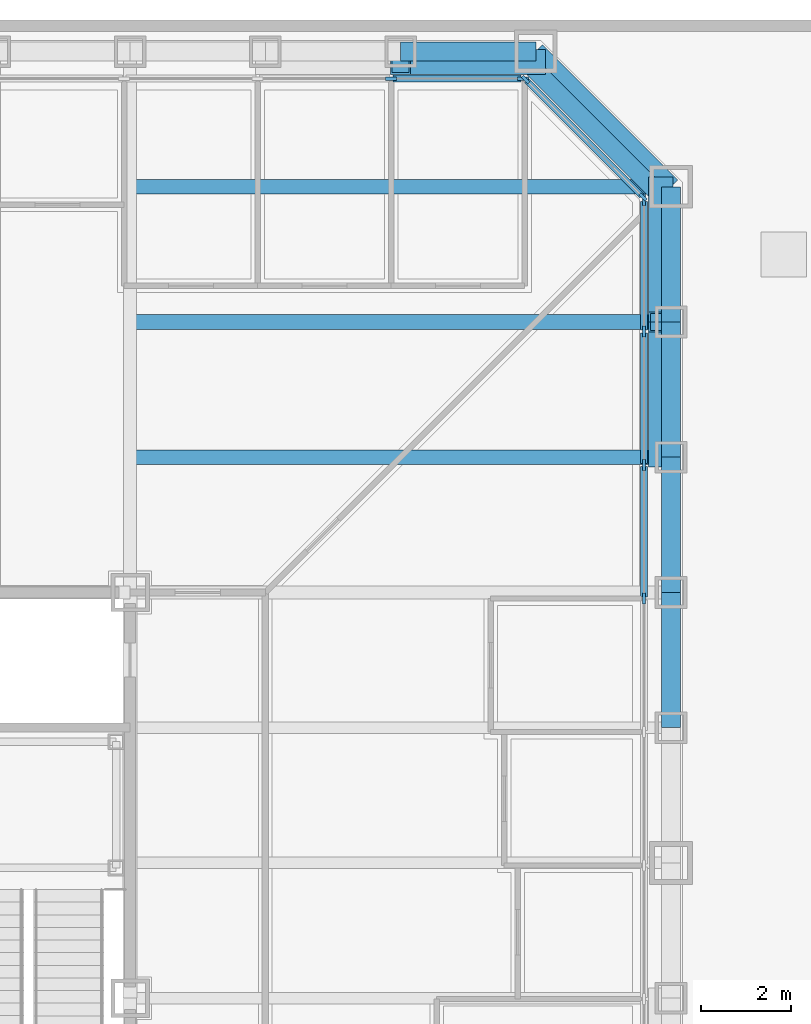
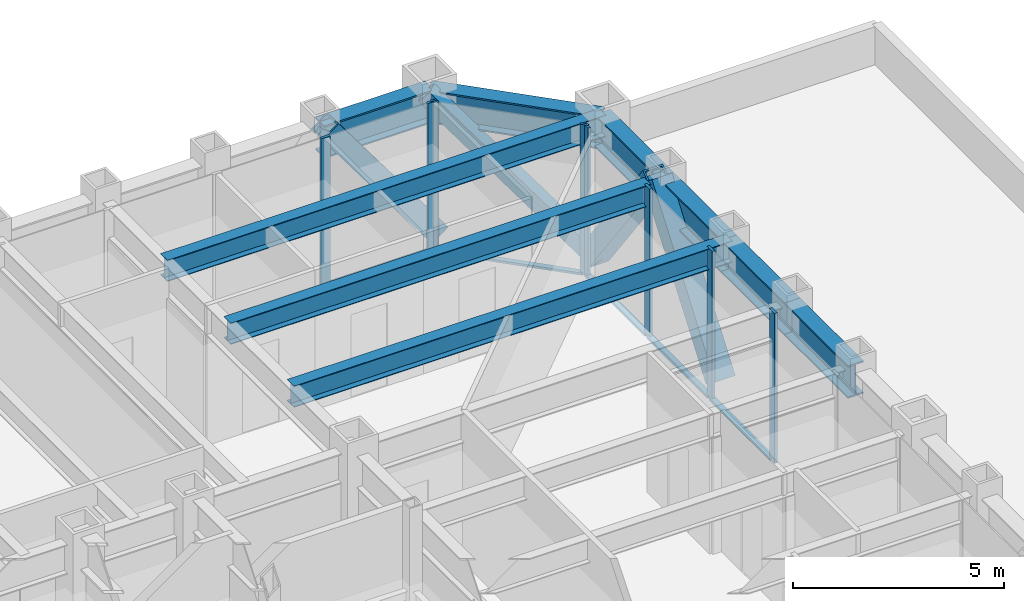
# One storey, part 6 of 18: 17 members, 9 beams, 3 elements without a shape of their own.
"""IFC4 building model written with IfcOpenShell, lengths in metres."""

from ifc_helpers import new_model, si_unit, direction, frame, origin, origin_2d, place, context, subcontext, project, spatial, rectangle, hollow_rectangle, i_section, extrude, material, layer, layer_set, material_profile, profile_set, type_object, element, aggregate, save


model = new_model("IFC4")

# Units and contexts
model_context = context("Model", 3, precision=1e-05, world=origin(), true_north=direction((0.0, 1.0)))
body_context = subcontext(model_context, "Body", "Model", "MODEL_VIEW")
ifc_project = project(units=[si_unit("LENGTHUNIT", "METRE"), si_unit("AREAUNIT", "SQUARE_METRE"), si_unit("VOLUMEUNIT", "CUBIC_METRE"), si_unit("PLANEANGLEUNIT", "RADIAN"), si_unit("MASSUNIT", "GRAM", prefix="KILO")], contexts=[model_context])

# Site, building, storey
site_placement = place(None, origin())
site = spatial("IfcSite", under=ifc_project, at=site_placement, CompositionType="ELEMENT")
building_placement = place(site_placement, origin())
building = spatial("IfcBuilding", under=site, at=building_placement, Name="Chuquiago Exchange Tower", CompositionType="ELEMENT")
storey_placement = place(building_placement, frame((0.0, 0.0, 24.300048828125)))
storey = spatial("IfcBuildingStorey", under=building, at=storey_placement, Name="L04", CompositionType="ELEMENT", Elevation=24.300048828125)

# Beams
ifc_material_1 = material(Name="Steel ASTM A992", Category="steel")
ifc_material_profile_1 = material_profile(ifc_material_1, i_section(OverallWidth=0.3251953125, OverallDepth=0.6171875, WebThickness=0.013916015625, FlangeThickness=0.021484375, at=origin_2d()), Name="W24X117")
ifc_profile_set_1 = profile_set([ifc_material_profile_1], Name="Steel ASTM A992")
beam_type_1 = type_object("IfcBeamType", Name="B5 W24X117", PredefinedType="BEAM", material=ifc_profile_set_1)
for number, where, z_axis, x_axis, name in (
    (1, (33.0, 36.0, 3.7314453125), (1.0, 0.0, 0.0), (0.0, 1.0, 0.0), "FB-L05-corner-33_36-45_36-0"),
    (2, (33.0, 39.0, 3.7314453125), (1.0, 0.0, 0.0), (0.0, 1.0, 0.0), "FB-L05-corner-33_39-45_39-0"),
    (3, (33.0, 42.0, 3.7314453125), (1.0, 0.0, 0.0), (0.0, 1.0, 0.0), "FB-L05-corner-33_42-45_42-0"),
):
    element("IfcBeam", number, at=place(storey_placement, frame(where, z_axis=z_axis, x_axis=x_axis)), inside=storey, type_object=beam_type_1, Name=name, PredefinedType="BEAM", context=body_context, shape_type="SweptSolid", body=[
        extrude(i_section(OverallWidth=0.3251953125, OverallDepth=0.6171875, WebThickness=0.013916015625, FlangeThickness=0.021484375, at=origin_2d()), origin(), (0.0, 0.0, 1.0), 12.0),
    ])

# Curtain wall, members
ifc_material_2 = material(Name="Aluminium curtain wall system", Category="aluminium")
ifc_layer_1 = layer(ifc_material_2, 0.25)
ifc_layer_set_1 = layer_set([ifc_layer_1], Name="CW1 trading floor curtain wall")
curtain_wall_type_1 = type_object("IfcCurtainWallType", Name="CW1 trading floor curtain wall", PredefinedType="NOTDEFINED", material=ifc_layer_set_1)
curtain_wall_1_placement = place(storey_placement, origin())
curtain_wall_1 = element("IfcCurtainWall", 4, at=curtain_wall_1_placement, inside=storey, type_object=curtain_wall_type_1, Name="CW1 curtain wall L04", PredefinedType="NOTDEFINED")
ifc_material_3 = material(Name="Aluminium mullion, pale anodised", Category="aluminium")
ifc_material_profile_2 = material_profile(ifc_material_3, rectangle(XDim=0.074951171875, YDim=0.25, at=origin_2d()), Name="AL 75x250")
ifc_profile_set_2 = profile_set([ifc_material_profile_2], Name="Aluminium mullion, pale anodised")
member_type_1 = type_object("IfcMemberType", Name="CW1-M mullion 75x250", PredefinedType="MULLION", material=ifc_profile_set_2)
member_1_placement = place(storey_placement, frame((44.39990234375, 32.8662109375, -0.300048828125), z_axis=(0.0, 0.0, 1.0), x_axis=(-1.0, 0.0, 0.0)))
member_1 = element("IfcMember", 5, at=member_1_placement, type_object=member_type_1, Name="CW1 mullion 11", PredefinedType="MULLION", context=body_context, shape_type="SweptSolid", body=[
    extrude(rectangle(XDim=0.074951171875, YDim=0.25, at=origin_2d()), origin(), (0.0, 0.0, 1.0), 4.340087890625),
])
member_2_placement = place(storey_placement, frame((44.39990234375, 35.827880859375, -0.300048828125), z_axis=(0.0, 0.0, 1.0), x_axis=(-1.0, 0.0, 0.0)))
member_2 = element("IfcMember", 6, at=member_2_placement, type_object=member_type_1, Name="CW1 mullion 12", PredefinedType="MULLION", context=body_context, shape_type="SweptSolid", body=[
    extrude(rectangle(XDim=0.074951171875, YDim=0.25, at=origin_2d()), origin(), (0.0, 0.0, 1.0), 4.340087890625),
])
member_3_placement = place(storey_placement, frame((44.39990234375, 38.789794921875, -0.300048828125), z_axis=(0.0, 0.0, 1.0), x_axis=(-1.0, 0.0, 0.0)))
member_3 = element("IfcMember", 7, at=member_3_placement, type_object=member_type_1, Name="CW1 mullion 13", PredefinedType="MULLION", context=body_context, shape_type="SweptSolid", body=[
    extrude(rectangle(XDim=0.074951171875, YDim=0.25, at=origin_2d()), origin(), (0.0, 0.0, 1.0), 4.340087890625),
])
member_4_placement = place(storey_placement, frame((44.39990234375, 41.714111328125, -0.300048828125), z_axis=(0.0, 0.0, 1.0), x_axis=(-1.0, 0.0, 0.0)))
member_4 = element("IfcMember", 8, at=member_4_placement, type_object=member_type_1, Name="CW1 mullion 14", PredefinedType="MULLION", context=body_context, shape_type="SweptSolid", body=[
    extrude(rectangle(XDim=0.074951171875, YDim=0.25, at=origin_2d()), origin(), (0.0, 0.0, 1.0), 4.340087890625),
])

curtain_wall_2_placement = place(storey_placement, origin())
curtain_wall_2 = element("IfcCurtainWall", 9, at=curtain_wall_2_placement, inside=storey, type_object=curtain_wall_type_1, Name="CW1 curtain wall L04", PredefinedType="NOTDEFINED")
member_5_placement = place(storey_placement, frame((41.714111328125, 44.39990234375, -0.300048828125), z_axis=(0.0, 0.0, 1.0), x_axis=(0.0, -1.0, 0.0)))
member_5 = element("IfcMember", 10, at=member_5_placement, type_object=member_type_1, Name="CW1 mullion 1", PredefinedType="MULLION", context=body_context, shape_type="SweptSolid", body=[
    extrude(rectangle(XDim=0.074951171875, YDim=0.25, at=origin_2d()), origin(), (0.0, 0.0, 1.0), 4.340087890625),
])
member_6_placement = place(storey_placement, frame((38.789794921875, 44.39990234375, -0.300048828125), z_axis=(0.0, 0.0, 1.0), x_axis=(0.0, -1.0, 0.0)))
member_6 = element("IfcMember", 11, at=member_6_placement, type_object=member_type_1, Name="CW1 mullion 2", PredefinedType="MULLION", context=body_context, shape_type="SweptSolid", body=[
    extrude(rectangle(XDim=0.074951171875, YDim=0.25, at=origin_2d()), origin(), (0.0, 0.0, 1.0), 4.340087890625),
])

# Member
ifc_material_4 = material(Name="Aluminium transom, pale anodised", Category="aluminium")
ifc_material_profile_3 = material_profile(ifc_material_4, rectangle(XDim=0.14990234375, YDim=0.074951171875, at=origin_2d()), Name="AL 150x75")
ifc_profile_set_3 = profile_set([ifc_material_profile_3], Name="Aluminium transom, pale anodised")
member_type_2 = type_object("IfcMemberType", Name="CW1-T transom 75x150", PredefinedType="MULLION", material=ifc_profile_set_3)
member_7_placement = place(storey_placement, frame((44.39990234375, 32.90380859375, -0.262451171875), z_axis=(0.0, 1.0, 0.0), x_axis=(-1.0, 0.0, 0.0)))
member_7 = element("IfcMember", 12, at=member_7_placement, type_object=member_type_2, Name="CW1 transom 11.1", PredefinedType="MULLION", context=body_context, shape_type="SweptSolid", body=[
    extrude(rectangle(XDim=0.14990234375, YDim=0.074951171875, at=origin_2d()), origin(), (0.0, 0.0, 1.0), 2.88671875),
])

member_8_placement = place(storey_placement, frame((44.39990234375, 35.865478515625, -0.262451171875), z_axis=(0.0, 1.0, 0.0), x_axis=(-1.0, 0.0, 0.0)))
member_8 = element("IfcMember", 13, at=member_8_placement, type_object=member_type_2, Name="CW1 transom 12.1", PredefinedType="MULLION", context=body_context, shape_type="SweptSolid", body=[
    extrude(rectangle(XDim=0.14990234375, YDim=0.074951171875, at=origin_2d()), origin(), (0.0, 0.0, 1.0), 2.88671875),
])

member_9_placement = place(storey_placement, frame((44.39990234375, 38.8271484375, -0.262451171875), z_axis=(0.0, 1.0, 0.0), x_axis=(-1.0, 0.0, 0.0)))
member_9 = element("IfcMember", 14, at=member_9_placement, type_object=member_type_2, Name="CW1 transom 13.1", PredefinedType="MULLION", context=body_context, shape_type="SweptSolid", body=[
    extrude(rectangle(XDim=0.14990234375, YDim=0.074951171875, at=origin_2d()), origin(), (0.0, 0.0, 1.0), 2.849365234375),
])

aggregate(curtain_wall_1, [member_1, member_2, member_3, member_4, member_7, member_8, member_9])

member_10_placement = place(storey_placement, frame((41.676513671875, 44.39990234375, -0.262451171875), z_axis=(-1.0, 0.0, 0.0), x_axis=(0.0, -1.0, 0.0)))
member_10 = element("IfcMember", 15, at=member_10_placement, type_object=member_type_2, Name="CW1 transom 1.1", PredefinedType="MULLION", context=body_context, shape_type="SweptSolid", body=[
    extrude(rectangle(XDim=0.14990234375, YDim=0.074951171875, at=origin_2d()), origin(), (0.0, 0.0, 1.0), 2.849365234375),
])

aggregate(curtain_wall_2, [member_5, member_6, member_10])

# Curtain wall, members
ifc_material_5 = material(Name="Aluminium curtain wall system", Category="aluminium")
ifc_layer_2 = layer(ifc_material_5, 0.199951171875)
ifc_layer_set_2 = layer_set([ifc_layer_2], Name="CW3 facet curtain wall")
curtain_wall_type_2 = type_object("IfcCurtainWallType", Name="CW3 facet curtain wall", PredefinedType="NOTDEFINED", material=ifc_layer_set_2)
curtain_wall_3_placement = place(storey_placement, origin())
curtain_wall_3 = element("IfcCurtainWall", 16, at=curtain_wall_3_placement, inside=storey, type_object=curtain_wall_type_2, Name="CW3 curtain wall L04", PredefinedType="NOTDEFINED")
ifc_material_6 = material(Name="Aluminium mullion, pale anodised", Category="aluminium")
ifc_material_profile_4 = material_profile(ifc_material_6, rectangle(XDim=0.06494140625, YDim=0.199951171875, at=origin_2d()), Name="AL 65x200")
ifc_profile_set_4 = profile_set([ifc_material_profile_4], Name="Aluminium mullion, pale anodised")
member_type_3 = type_object("IfcMemberType", Name="CW3-M mullion 65x200", PredefinedType="MULLION", material=ifc_profile_set_4)
member_11_placement = place(storey_placement, frame((44.376953125, 41.7744140625, -0.300048828125), z_axis=(0.0, 0.0, 1.0), x_axis=(-0.707106781187, -0.707106781187, 0.0)))
member_11 = element("IfcMember", 17, at=member_11_placement, type_object=member_type_3, Name="CW3 mullion 1", PredefinedType="MULLION", context=body_context, shape_type="SweptSolid", body=[
    extrude(rectangle(XDim=0.06494140625, YDim=0.199951171875, at=origin_2d()), origin(), (0.0, 0.0, 1.0), 4.340087890625),
])
member_12_placement = place(storey_placement, frame((41.7744140625, 44.376953125, -0.300048828125), z_axis=(0.0, 0.0, 1.0), x_axis=(-0.707106781187, -0.707106781187, 0.0)))
member_12 = element("IfcMember", 18, at=member_12_placement, type_object=member_type_3, Name="CW3 mullion 2", PredefinedType="MULLION", context=body_context, shape_type="SweptSolid", body=[
    extrude(rectangle(XDim=0.06494140625, YDim=0.199951171875, at=origin_2d()), origin(), (0.0, 0.0, 1.0), 4.340087890625),
])
ifc_material_7 = material(Name="Aluminium transom, pale anodised", Category="aluminium")
ifc_material_profile_5 = material_profile(ifc_material_7, rectangle(XDim=0.139892578125, YDim=0.06494140625, at=origin_2d()), Name="AL 140x65")
ifc_profile_set_5 = profile_set([ifc_material_profile_5], Name="Aluminium transom, pale anodised")
member_type_4 = type_object("IfcMemberType", Name="CW3-T transom 65x140", PredefinedType="MULLION", material=ifc_profile_set_5)
member_13_placement = place(storey_placement, frame((44.35400390625, 41.79736328125, -0.267578125), z_axis=(-0.707106781187, 0.707106781187, 0.0), x_axis=(-0.707106781187, -0.707106781187, 0.0)))
member_13 = element("IfcMember", 19, at=member_13_placement, type_object=member_type_4, Name="CW3 transom 1.1", PredefinedType="MULLION", context=body_context, shape_type="SweptSolid", body=[
    extrude(rectangle(XDim=0.139892578125, YDim=0.06494140625, at=origin_2d()), origin(), (0.0, 0.0, 1.0), 3.61572265625),
])
aggregate(curtain_wall_3, [member_11, member_12, member_13])

# Members
ifc_material_8 = material(Name="Steel ASTM A500 Grade C", Category="steel")
ifc_material_profile_6 = material_profile(ifc_material_8, hollow_rectangle(XDim=0.406494140625, YDim=0.406494140625, WallThickness=0.0146484375, at=origin_2d()), Name="HSS16X16X5/8")
ifc_profile_set_6 = profile_set([ifc_material_profile_6], Name="Steel ASTM A500 Grade C")
member_type_5 = type_object("IfcMemberType", Name="LB4 HSS16X16X5/8", PredefinedType="BRACE", material=ifc_profile_set_6)
member_14_placement = place(storey_placement, frame((44.78662109375, 41.78662109375, 0.0), z_axis=(-0.512077265487, 0.512077265487, 0.689604051861), x_axis=(-0.707106781187, -0.707106781187, 0.0)))
element("IfcMember", 20, at=member_14_placement, inside=storey, type_object=member_type_5, Name="LB-L04-45_42-42_45", PredefinedType="BRACE", context=body_context, shape_type="SweptSolid", body=[
    extrude(hollow_rectangle(XDim=0.406494140625, YDim=0.406494140625, WallThickness=0.0146484375, at=origin_2d()), origin(), (0.0, 0.0, 1.0), 5.8583984375),
])
ifc_material_9 = material(Name="Steel ASTM A572 Grade 50", Category="steel")
ifc_material_profile_7 = material_profile(ifc_material_9, hollow_rectangle(XDim=0.550048828125, YDim=0.550048828125, WallThickness=0.044921875, at=origin_2d()), Name="BOX550X550X45")
ifc_profile_set_7 = profile_set([ifc_material_profile_7], Name="Steel ASTM A572 Grade 50")
member_type_6 = type_object("IfcMemberType", Name="MB1 BOX550X550X45", PredefinedType="BRACE", material=ifc_profile_set_7)
for number, where, z_axis, x_axis, name in (
    (21, (44.77001953125, 36.0, 0.0), (0.0, 0.596173923302, 0.802855312728), (-1.0, 0.0, 0.0), "Mega diagonal L04 E face"),
    (22, (44.77001953125, 42.0, 0.0), (0.0, -0.596173923302, 0.802855312728), (1.0, 0.0, 0.0), "Mega diagonal L04 E face"),
    (23, (42.0, 44.77001953125, 0.0), (-0.596173923302, 0.0, 0.802855312728), (0.0, -1.0, 0.0), "Mega diagonal L04 N face"),
):
    element("IfcMember", number, at=place(storey_placement, frame(where, z_axis=z_axis, x_axis=x_axis)), inside=storey, type_object=member_type_6, Name=name, PredefinedType="BRACE", context=body_context, shape_type="SweptSolid", body=[
        extrude(hollow_rectangle(XDim=0.550048828125, YDim=0.550048828125, WallThickness=0.044921875, at=origin_2d()), origin(), (0.0, 0.0, 1.0), 5.031982421875),
    ])

# Beams
ifc_material_10 = material(Name="Steel ASTM A992", Category="steel")
ifc_material_profile_8 = material_profile(ifc_material_10, i_section(OverallWidth=0.424072265625, OverallDepth=0.947509765625, WebThickness=0.02392578125, FlangeThickness=0.042724609375, at=origin_2d()), Name="W36X302")
ifc_profile_set_8 = profile_set([ifc_material_profile_8], Name="Steel ASTM A992")
beam_type_2 = type_object("IfcBeamType", Name="SP1 W36X302", PredefinedType="SPANDREL", material=ifc_profile_set_8)
for number, where, z_axis, x_axis, name in (
    (24, (45.0, 30.0, 3.566162109375), (0.0, 1.0, 0.0), (-1.0, 0.0, 0.0), "SPB-L05-45_30-45_33"),
    (25, (45.0, 33.0, 3.566162109375), (0.0, 1.0, 0.0), (-1.0, 0.0, 0.0), "SPB-L05-45_33-45_36"),
    (26, (45.0, 36.0, 3.566162109375), (0.0, 1.0, 0.0), (-1.0, 0.0, 0.0), "SPB-L05-45_36-45_39"),
    (27, (45.0, 39.0, 3.566162109375), (0.0, 1.0, 0.0), (-1.0, 0.0, 0.0), "SPB-L05-45_39-45_42"),
):
    element("IfcBeam", number, at=place(storey_placement, frame(where, z_axis=z_axis, x_axis=x_axis)), inside=storey, type_object=beam_type_2, Name=name, PredefinedType="SPANDREL", context=body_context, shape_type="SweptSolid", body=[
        extrude(i_section(OverallWidth=0.424072265625, OverallDepth=0.947509765625, WebThickness=0.02392578125, FlangeThickness=0.042724609375, at=origin_2d()), origin(), (0.0, 0.0, 1.0), 3.0),
    ])
beam_1_placement = place(storey_placement, frame((45.0, 42.0, 3.566162109375), z_axis=(-0.707106781187, 0.707106781187, 0.0), x_axis=(-0.707106781187, -0.707106781187, 0.0)))
element("IfcBeam", 28, at=beam_1_placement, inside=storey, type_object=beam_type_2, Name="SPB-L05-45_42-42_45", PredefinedType="SPANDREL", context=body_context, shape_type="SweptSolid", body=[
    extrude(i_section(OverallWidth=0.424072265625, OverallDepth=0.947509765625, WebThickness=0.02392578125, FlangeThickness=0.042724609375, at=origin_2d()), origin(), (0.0, 0.0, 1.0), 4.24267578125),
])
beam_2_placement = place(storey_placement, frame((42.0, 45.0, 3.566162109375), z_axis=(-1.0, 0.0, 0.0), x_axis=(0.0, -1.0, 0.0)))
element("IfcBeam", 29, at=beam_2_placement, inside=storey, type_object=beam_type_2, Name="SPB-L05-42_45-39_45", PredefinedType="SPANDREL", context=body_context, shape_type="SweptSolid", body=[
    extrude(i_section(OverallWidth=0.424072265625, OverallDepth=0.947509765625, WebThickness=0.02392578125, FlangeThickness=0.042724609375, at=origin_2d()), origin(), (0.0, 0.0, 1.0), 3.0),
])

save(model, "model.ifc")
